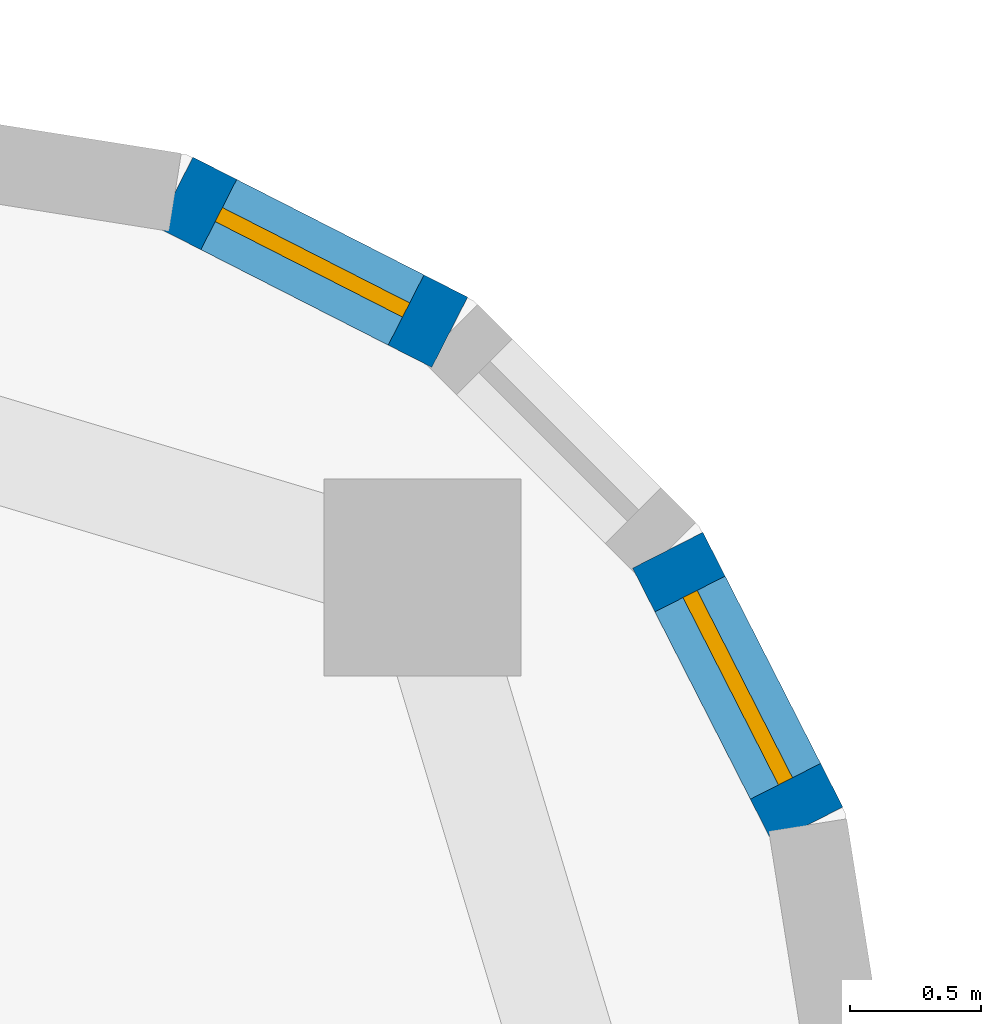
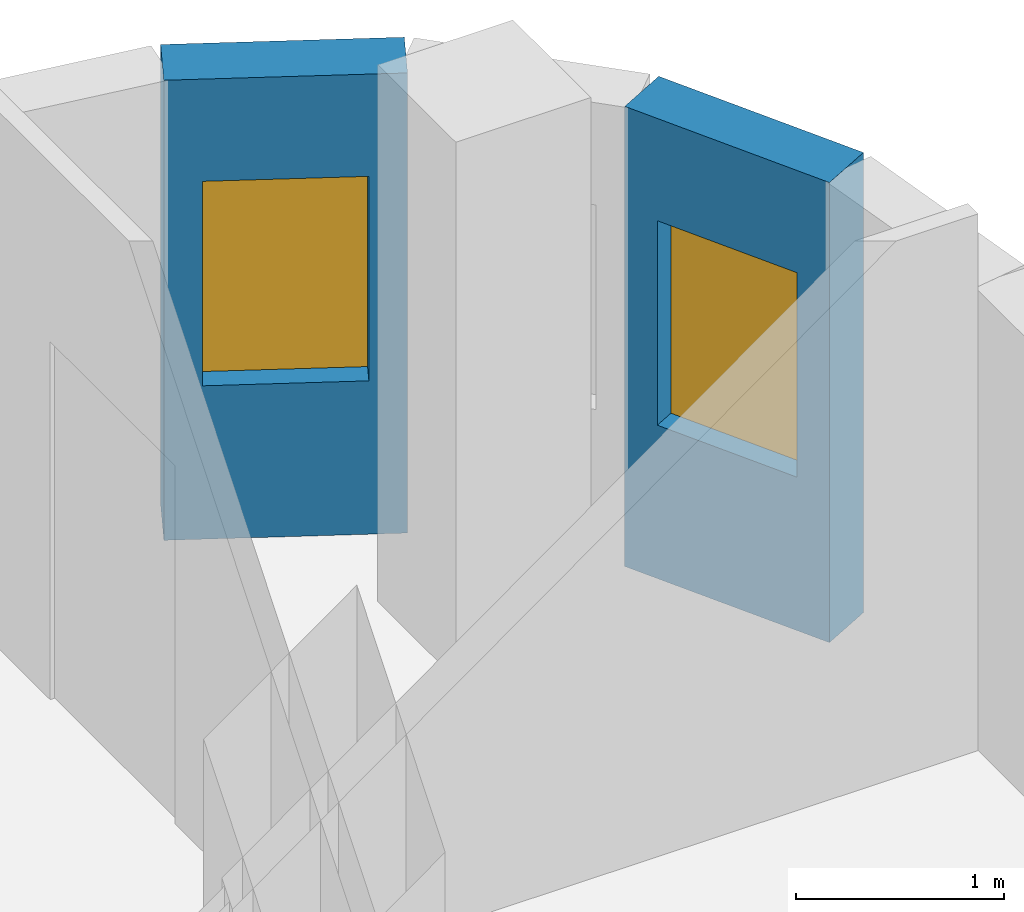
# One storey, part 9 of 13: 2 walls, 2 windows, 2 openings.
"""IFC4 building model written with IfcOpenShell, lengths in metres."""

from ifc_helpers import new_model, si_unit, direction, frame, frame_2d, origin, place, context, subcontext, project, spatial, rectangle, extrude, material, layer, layer_set, type_object, element, fill, save


model = new_model("IFC4")

# Units and contexts
model_context = context("Model", 3, precision=1e-05, world=origin(), true_north=direction((0.0, 1.0)))
body_context = subcontext(model_context, "Body", "Model", "MODEL_VIEW")
ifc_project = project(units=[si_unit("LENGTHUNIT", "METRE"), si_unit("AREAUNIT", "SQUARE_METRE"), si_unit("VOLUMEUNIT", "CUBIC_METRE"), si_unit("PLANEANGLEUNIT", "RADIAN"), si_unit("MASSUNIT", "GRAM", prefix="KILO")], contexts=[model_context])

# Site, building, storey
site_placement = place(None, origin())
site = spatial("IfcSite", under=ifc_project, at=site_placement, CompositionType="ELEMENT")
building_placement = place(site_placement, origin())
building = spatial("IfcBuilding", under=site, at=building_placement, Name="Ludao Terraces", CompositionType="ELEMENT")
storey_placement = place(building_placement, frame((0.0, 0.0, 165.60009765625)))
storey = spatial("IfcBuildingStorey", under=building, at=storey_placement, Name="L45", CompositionType="ELEMENT", Elevation=165.60009765625)

# Wall, opening, window
ifc_material_1 = material(Name="Granite cladding", Category="masonry")
ifc_layer_1 = layer(ifc_material_1, 0.0400390625, Category="stone")
ifc_material_2 = material(Name="Mineral wool")
ifc_layer_2 = layer(ifc_material_2, 0.06005859375)
ifc_material_3 = material(Name="Concrete C40", Category="concrete")
ifc_layer_3 = layer(ifc_material_3, 0.199951171875, Category="concrete")
ifc_layer_set_1 = layer_set([ifc_layer_1, ifc_layer_2, ifc_layer_3], Name="ENV Stone-clad wall 300")
wall_type = type_object("IfcWallType", Name="ENV Stone-clad wall 300", PredefinedType="SOLIDWALL", material=ifc_layer_set_1)
wall_1_placement = place(storey_placement, frame((104.16650390625, 81.7587890625, 0.0), z_axis=(0.0, 0.0, 1.0), x_axis=(-0.454025524128, 0.890988677504, 0.0)))
wall_1 = element("IfcWall", 1, at=wall_1_placement, inside=storey, type_object=wall_type, Name="EW-L45-NE2", PredefinedType="SOLIDWALL", context=body_context, shape_type="SweptSolid", body=[
    extrude(rectangle(XDim=1.17333984375, YDim=0.300048828125, at=frame_2d((0.586669921875, 0.0))), origin(), (0.0, 0.0, 1.0), 2.699951171875),
])
opening_1_placement = place(wall_1_placement, frame((0.1865234375, 0.0, 0.89990234375)))
opening_1 = element("IfcOpeningElement", 2, at=opening_1_placement, cuts=wall_1, Name="Opening W3", PredefinedType="OPENING", context=body_context, shape_type="SweptSolid", body=[
    extrude(rectangle(XDim=0.800048828125, YDim=1.199951171875, at=frame_2d((0.39990234375, 0.60009765625))), frame((0.0, 0.16015625, 0.0), z_axis=(0.0, -1.0, 0.0), x_axis=(1.0, 0.0, 0.0)), (0.0, 0.0, 1.0), 0.320068359375),
])
ifc_material_4 = material(Name="Clear glass in aluminium frame", Category="aluminium")
ifc_layer_4 = layer(ifc_material_4, 0.06005859375)
ifc_layer_set_2 = layer_set([ifc_layer_4], Name="ENV Window W3 800x1200")
window_type = type_object("IfcWindowType", Name="ENV Window W3 800x1200", PartitioningType="SINGLE_PANEL", PredefinedType="WINDOW", material=ifc_layer_set_2)
window_1_placement = place(opening_1_placement, origin())
window_1 = element("IfcWindow", 3, at=window_1_placement, inside=storey, type_object=window_type, Name="W-L45-NE2", OverallHeight=1.199951171875, OverallWidth=0.800048828125, PartitioningType="SINGLE_PANEL", PredefinedType="WINDOW", context=body_context, shape_type="SweptSolid", body=[
    extrude(rectangle(XDim=0.800048828125, YDim=1.199951171875, at=frame_2d((0.39990234375, 0.60009765625))), frame((0.0, 0.030029296875, 0.0), z_axis=(0.0, -1.0, 0.0), x_axis=(1.0, 0.0, 0.0)), (0.0, 0.0, 1.0), 0.06005859375),
])
fill(opening_1, window_1)

wall_2_placement = place(storey_placement, frame((102.80419921875, 83.6337890625, 0.0), z_axis=(0.0, 0.0, 1.0), x_axis=(-0.890988677504, 0.454025524128, 0.0)))
wall_2 = element("IfcWall", 4, at=wall_2_placement, inside=storey, type_object=wall_type, Name="EW-L45-NE4", PredefinedType="SOLIDWALL", context=body_context, shape_type="SweptSolid", body=[
    extrude(rectangle(XDim=1.17333984375, YDim=0.300048828125, at=frame_2d((0.586669921875, 0.0))), origin(), (0.0, 0.0, 1.0), 2.699951171875),
])
opening_2_placement = place(wall_2_placement, frame((0.1865234375, 0.0, 0.89990234375)))
opening_2 = element("IfcOpeningElement", 5, at=opening_2_placement, cuts=wall_2, Name="Opening W3", PredefinedType="OPENING", context=body_context, shape_type="SweptSolid", body=[
    extrude(rectangle(XDim=0.800048828125, YDim=1.199951171875, at=frame_2d((0.39990234375, 0.60009765625))), frame((0.0, 0.16015625, 0.0), z_axis=(0.0, -1.0, 0.0), x_axis=(1.0, 0.0, 0.0)), (0.0, 0.0, 1.0), 0.320068359375),
])
window_2_placement = place(opening_2_placement, origin())
window_2 = element("IfcWindow", 6, at=window_2_placement, inside=storey, type_object=window_type, Name="W-L45-NE4", OverallHeight=1.199951171875, OverallWidth=0.800048828125, PartitioningType="SINGLE_PANEL", PredefinedType="WINDOW", context=body_context, shape_type="SweptSolid", body=[
    extrude(rectangle(XDim=0.800048828125, YDim=1.199951171875, at=frame_2d((0.39990234375, 0.60009765625))), frame((0.0, 0.030029296875, 0.0), z_axis=(0.0, -1.0, 0.0), x_axis=(1.0, 0.0, 0.0)), (0.0, 0.0, 1.0), 0.06005859375),
])
fill(opening_2, window_2)

save(model, "model.ifc")
